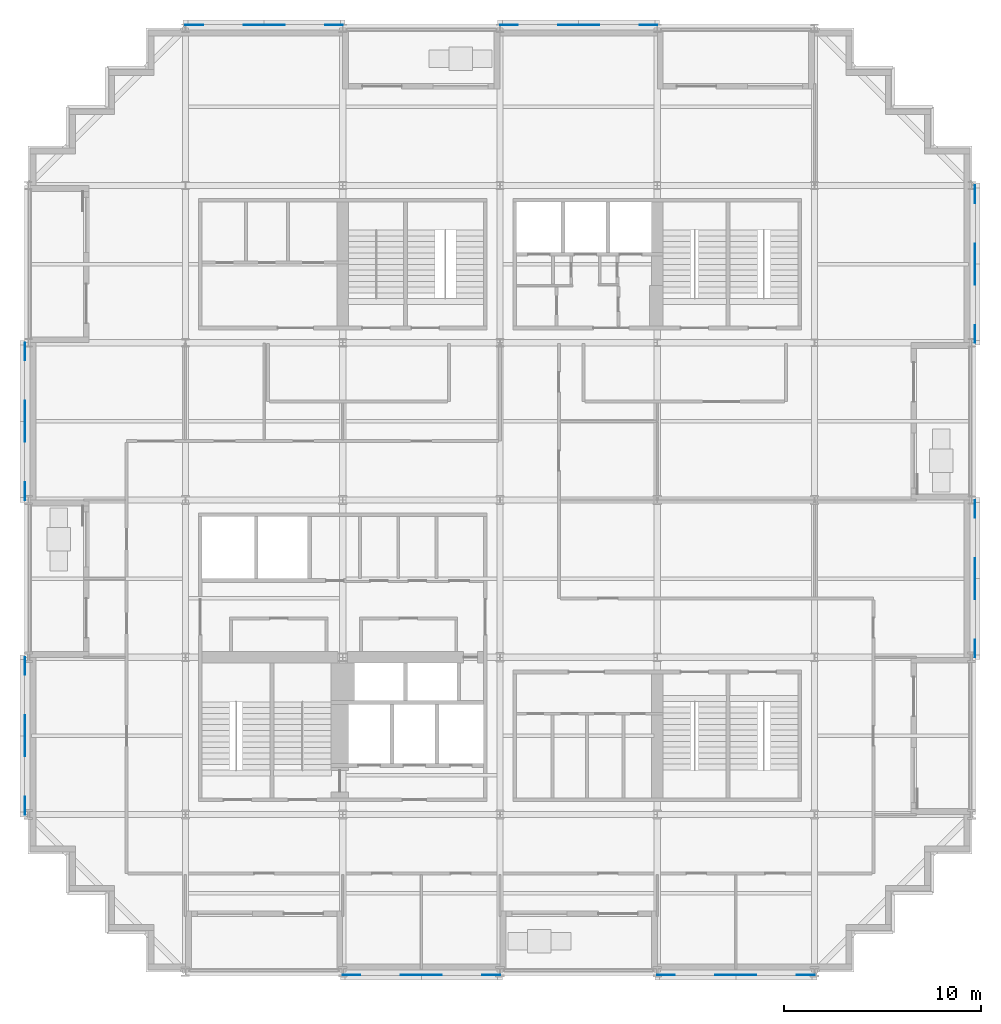
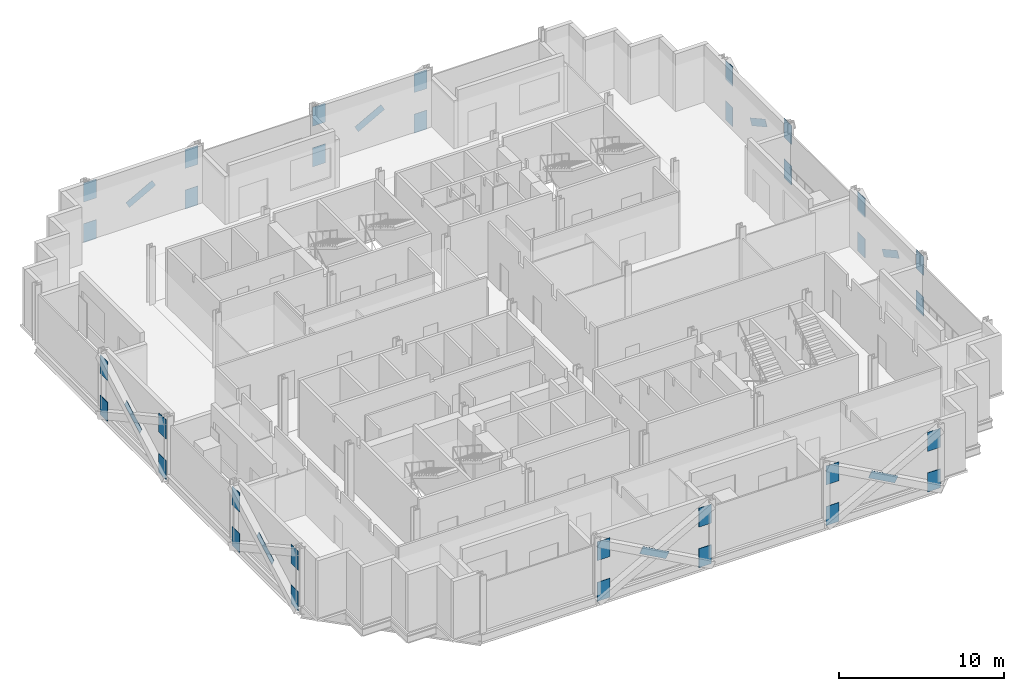
# One storey, part 11 of 14: 40 discrete accessories.
"""IFC4 building model written with IfcOpenShell, lengths in metres."""

from ifc_helpers import new_model, si_unit, direction, frame, origin, origin_2d, place, context, subcontext, project, spatial, rectangle, extrude, material, material_profile, profile_set, type_object, element, save


model = new_model("IFC4")

# Units and contexts
model_context = context("Model", 3, precision=1e-05, world=origin(), true_north=direction((0.0, 1.0)))
body_context = subcontext(model_context, "Body", "Model", "MODEL_VIEW")
ifc_project = project(units=[si_unit("LENGTHUNIT", "METRE"), si_unit("AREAUNIT", "SQUARE_METRE"), si_unit("VOLUMEUNIT", "CUBIC_METRE"), si_unit("PLANEANGLEUNIT", "RADIAN"), si_unit("MASSUNIT", "GRAM", prefix="KILO")], contexts=[model_context])

# Site, building, storey
site_placement = place(None, origin())
site = spatial("IfcSite", under=ifc_project, at=site_placement, CompositionType="ELEMENT")
building_placement = place(site_placement, origin())
building = spatial("IfcBuilding", under=site, at=building_placement, Name="Immortelle Media Tower", CompositionType="ELEMENT")
storey_placement = place(building_placement, frame((0.0, 0.0, 48.0)))
storey = spatial("IfcBuildingStorey", under=building, at=storey_placement, Name="L07", CompositionType="ELEMENT", Elevation=48.0)

# Discrete accessories
ifc_material = material(Name="Steel ASTM A572 Gr 50", Category="steel")
ifc_material_profile_1 = material_profile(ifc_material, rectangle(XDim=0.02392578125, YDim=0.508056640625, at=origin_2d()), Name="PL 24 x 508")
ifc_profile_set_1 = profile_set([ifc_material_profile_1], Name="Steel ASTM A572 Gr 50")
discrete_accessory_type_1 = type_object("IfcDiscreteAccessoryType", Name="Crossing plate XP-BR2 2100 x 508 x 24", PredefinedType="USERDEFINED", material=ifc_profile_set_1)
for number, where, z_axis, x_axis, name in (
    (1, (-0.1640625, 28.919921875, 2.2080078125), (0.0, -0.876206089199, -0.481936602937), (1.0, 0.0, 0.0), "Crossing plate XP-BR2 of Brace 1/D-E A and Brace 1/D-E B"),
    (2, (-0.1640625, 12.919921875, 2.2080078125), (0.0, -0.876206089199, -0.481936602937), (1.0, 0.0, 0.0), "Crossing plate XP-BR2 of Brace 1/B-C A and Brace 1/B-C B"),
    (3, (48.1640625, 19.080078125, 2.2080078125), (0.0, 0.876206089199, -0.481936602937), (-1.0, 0.0, 0.0), "Crossing plate XP-BR2 of Brace 7/C-D A and Brace 7/C-D B"),
    (4, (48.1640625, 35.080078125, 2.2080078125), (0.0, 0.876206089199, -0.481936602937), (-1.0, 0.0, 0.0), "Crossing plate XP-BR2 of Brace 7/E-F A and Brace 7/E-F B"),
    (5, (28.919921875, 48.1640625, 2.2080078125), (-0.876206089199, 0.0, -0.481936602937), (0.0, -1.0, 0.0), "Crossing plate XP-BR2 of Brace G/4-5 A and Brace G/4-5 B"),
    (6, (12.919921875, 48.1640625, 2.2080078125), (-0.876206089199, 0.0, -0.481936602937), (0.0, -1.0, 0.0), "Crossing plate XP-BR2 of Brace G/2-3 A and Brace G/2-3 B"),
    (7, (19.080078125, -0.1640625, 2.2080078125), (0.876206089199, 0.0, -0.481936602937), (0.0, 1.0, 0.0), "Crossing plate XP-BR2 of Brace A/3-4 A and Brace A/3-4 B"),
    (8, (35.080078125, -0.1640625, 2.2080078125), (0.876206089199, 0.0, -0.481936602937), (0.0, 1.0, 0.0), "Crossing plate XP-BR2 of Brace A/5-6 A and Brace A/5-6 B"),
):
    element("IfcDiscreteAccessory", number, at=place(storey_placement, frame(where, z_axis=z_axis, x_axis=x_axis)), inside=storey, type_object=discrete_accessory_type_1, Name=name, ObjectType="CROSSING PLATE", PredefinedType="USERDEFINED", context=body_context, shape_type="SweptSolid", body=[
        extrude(rectangle(XDim=0.02392578125, YDim=0.508056640625, at=origin_2d()), origin(), (0.0, 0.0, 1.0), 2.099853515625),
    ])
ifc_material_profile_2 = material_profile(ifc_material, rectangle(XDim=0.031982421875, YDim=1.39990234375, at=origin_2d()), Name="PL 32 x 1400")
ifc_profile_set_2 = profile_set([ifc_material_profile_2], Name="Steel ASTM A572 Gr 50")
discrete_accessory_type_2 = type_object("IfcDiscreteAccessoryType", Name="Gusset plate GP1 900 x 1400 x 32", PredefinedType="USERDEFINED", material=ifc_profile_set_2)
for number, where, z_axis, x_axis, name in (
    (9, (-0.1640625, 32.0, 0.201904296875), (0.0, -1.0, 0.0), (1.0, 0.0, 0.0), "Gusset plate GP1, lower end of Brace 1/D-E A"),
    (10, (-0.1640625, 24.0, 3.201904296875), (0.0, 1.0, 0.0), (-1.0, 0.0, 0.0), "Gusset plate GP1, upper end of Brace 1/D-E A"),
    (11, (-0.1640625, 24.0, 0.201904296875), (0.0, 1.0, 0.0), (-1.0, 0.0, 0.0), "Gusset plate GP1, lower end of Brace 1/D-E B"),
    (12, (-0.1640625, 32.0, 3.201904296875), (0.0, -1.0, 0.0), (1.0, 0.0, 0.0), "Gusset plate GP1, upper end of Brace 1/D-E B"),
    (13, (-0.1640625, 16.0, 0.201904296875), (0.0, -1.0, 0.0), (1.0, 0.0, 0.0), "Gusset plate GP1, lower end of Brace 1/B-C A"),
    (14, (-0.1640625, 8.0, 3.201904296875), (0.0, 1.0, 0.0), (-1.0, 0.0, 0.0), "Gusset plate GP1, upper end of Brace 1/B-C A"),
    (15, (-0.1640625, 8.0, 0.201904296875), (0.0, 1.0, 0.0), (-1.0, 0.0, 0.0), "Gusset plate GP1, lower end of Brace 1/B-C B"),
    (16, (-0.1640625, 16.0, 3.201904296875), (0.0, -1.0, 0.0), (1.0, 0.0, 0.0), "Gusset plate GP1, upper end of Brace 1/B-C B"),
    (17, (16.0, -0.1640625, 0.201904296875), (1.0, 0.0, 0.0), (0.0, 1.0, 0.0), "Gusset plate GP1, lower end of Brace A/3-4 A"),
    (18, (24.0, -0.1640625, 3.201904296875), (-1.0, 0.0, 0.0), (0.0, -1.0, 0.0), "Gusset plate GP1, upper end of Brace A/3-4 A"),
    (19, (24.0, -0.1640625, 0.201904296875), (-1.0, 0.0, 0.0), (0.0, -1.0, 0.0), "Gusset plate GP1, lower end of Brace A/3-4 B"),
    (20, (16.0, -0.1640625, 3.201904296875), (1.0, 0.0, 0.0), (0.0, 1.0, 0.0), "Gusset plate GP1, upper end of Brace A/3-4 B"),
    (21, (32.0, -0.1640625, 0.201904296875), (1.0, 0.0, 0.0), (0.0, 1.0, 0.0), "Gusset plate GP1, lower end of Brace A/5-6 A"),
    (22, (40.0, -0.1640625, 3.201904296875), (-1.0, 0.0, 0.0), (0.0, -1.0, 0.0), "Gusset plate GP1, upper end of Brace A/5-6 A"),
    (23, (40.0, -0.1640625, 0.201904296875), (-1.0, 0.0, 0.0), (0.0, -1.0, 0.0), "Gusset plate GP1, lower end of Brace A/5-6 B"),
    (24, (32.0, -0.1640625, 3.201904296875), (1.0, 0.0, 0.0), (0.0, 1.0, 0.0), "Gusset plate GP1, upper end of Brace A/5-6 B"),
    (25, (48.1640625, 16.0, 0.201904296875), (0.0, 1.0, 0.0), (-1.0, 0.0, 0.0), "Gusset plate GP1, lower end of Brace 7/C-D A"),
    (26, (48.1640625, 24.0, 3.201904296875), (0.0, -1.0, 0.0), (1.0, 0.0, 0.0), "Gusset plate GP1, upper end of Brace 7/C-D A"),
    (27, (48.1640625, 24.0, 0.201904296875), (0.0, -1.0, 0.0), (1.0, 0.0, 0.0), "Gusset plate GP1, lower end of Brace 7/C-D B"),
    (28, (48.1640625, 16.0, 3.201904296875), (0.0, 1.0, 0.0), (-1.0, 0.0, 0.0), "Gusset plate GP1, upper end of Brace 7/C-D B"),
    (29, (48.1640625, 32.0, 0.201904296875), (0.0, 1.0, 0.0), (-1.0, 0.0, 0.0), "Gusset plate GP1, lower end of Brace 7/E-F A"),
    (30, (48.1640625, 40.0, 3.201904296875), (0.0, -1.0, 0.0), (1.0, 0.0, 0.0), "Gusset plate GP1, upper end of Brace 7/E-F A"),
    (31, (48.1640625, 40.0, 0.201904296875), (0.0, -1.0, 0.0), (1.0, 0.0, 0.0), "Gusset plate GP1, lower end of Brace 7/E-F B"),
    (32, (48.1640625, 32.0, 3.201904296875), (0.0, 1.0, 0.0), (-1.0, 0.0, 0.0), "Gusset plate GP1, upper end of Brace 7/E-F B"),
    (33, (32.0, 48.1640625, 0.201904296875), (-1.0, 0.0, 0.0), (0.0, -1.0, 0.0), "Gusset plate GP1, lower end of Brace G/4-5 A"),
    (34, (24.0, 48.1640625, 3.201904296875), (1.0, 0.0, 0.0), (0.0, 1.0, 0.0), "Gusset plate GP1, upper end of Brace G/4-5 A"),
    (35, (24.0, 48.1640625, 0.201904296875), (1.0, 0.0, 0.0), (0.0, 1.0, 0.0), "Gusset plate GP1, lower end of Brace G/4-5 B"),
    (36, (32.0, 48.1640625, 3.201904296875), (-1.0, 0.0, 0.0), (0.0, -1.0, 0.0), "Gusset plate GP1, upper end of Brace G/4-5 B"),
    (37, (16.0, 48.1640625, 0.201904296875), (-1.0, 0.0, 0.0), (0.0, -1.0, 0.0), "Gusset plate GP1, lower end of Brace G/2-3 A"),
    (38, (8.0, 48.1640625, 3.201904296875), (1.0, 0.0, 0.0), (0.0, 1.0, 0.0), "Gusset plate GP1, upper end of Brace G/2-3 A"),
    (39, (8.0, 48.1640625, 0.201904296875), (1.0, 0.0, 0.0), (0.0, 1.0, 0.0), "Gusset plate GP1, lower end of Brace G/2-3 B"),
    (40, (16.0, 48.1640625, 3.201904296875), (-1.0, 0.0, 0.0), (0.0, -1.0, 0.0), "Gusset plate GP1, upper end of Brace G/2-3 B"),
):
    element("IfcDiscreteAccessory", number, at=place(storey_placement, frame(where, z_axis=z_axis, x_axis=x_axis)), inside=storey, type_object=discrete_accessory_type_2, Name=name, ObjectType="GUSSET PLATE", PredefinedType="USERDEFINED", context=body_context, shape_type="SweptSolid", body=[
        extrude(rectangle(XDim=0.031982421875, YDim=1.39990234375, at=origin_2d()), origin(), (0.0, 0.0, 1.0), 0.89990234375),
    ])

save(model, "model.ifc")
